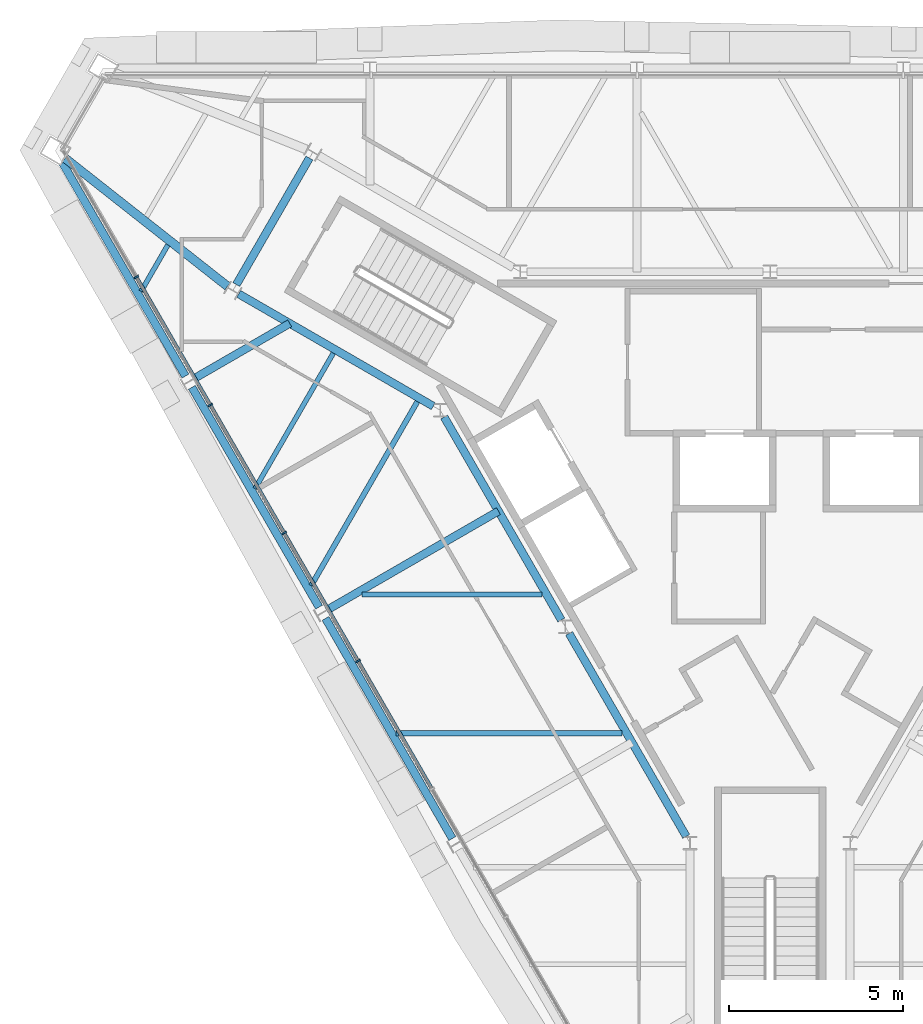
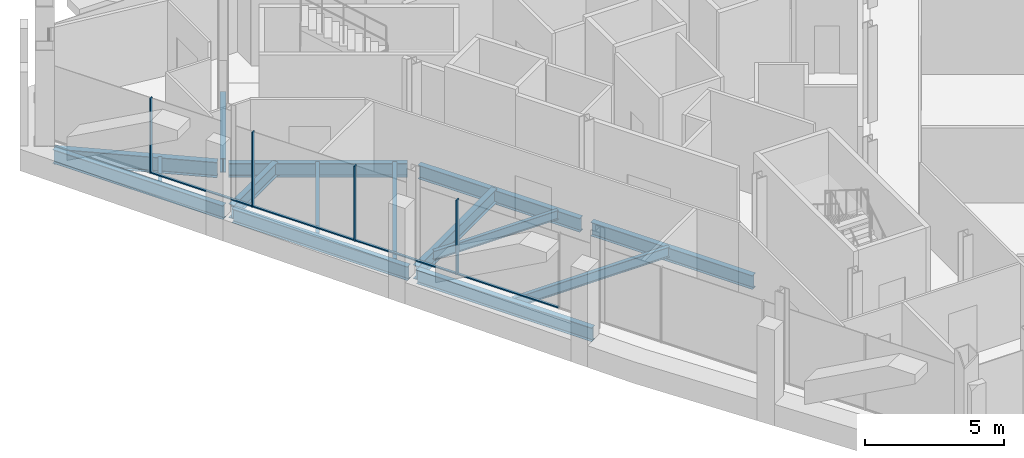
# One storey, part 4 of 13: 15 beams, 8 members, 1 element without a shape of its own.
"""IFC4 building model written with IfcOpenShell, lengths in metres."""

from ifc_helpers import new_model, si_unit, direction, frame, origin, origin_2d, place, context, subcontext, project, spatial, rectangle, i_section, extrude, material, material_profile, profile_set, type_object, element, aggregate, save


model = new_model("IFC4")

# Units and contexts
model_context = context("Model", 3, precision=1e-05, world=origin(), true_north=direction((0.0, 1.0)))
body_context = subcontext(model_context, "Body", "Model", "MODEL_VIEW")
ifc_project = project(units=[si_unit("LENGTHUNIT", "METRE"), si_unit("AREAUNIT", "SQUARE_METRE"), si_unit("VOLUMEUNIT", "CUBIC_METRE"), si_unit("PLANEANGLEUNIT", "RADIAN"), si_unit("MASSUNIT", "GRAM", prefix="KILO")], contexts=[model_context])

# Site, building, storey
site_placement = place(None, origin())
site = spatial("IfcSite", under=ifc_project, at=site_placement, CompositionType="ELEMENT")
building_placement = place(site_placement, origin())
building = spatial("IfcBuilding", under=site, at=building_placement, Name="Verrane Prism Tower", CompositionType="ELEMENT")
storey_placement = place(building_placement, frame((0.0, 0.0, 321.0)))
storey = spatial("IfcBuildingStorey", under=building, at=storey_placement, Name="L81", CompositionType="ELEMENT", Elevation=321.0)

# Beams
ifc_material_1 = material(Name="Steel A992", Category="steel")
ifc_material_profile_1 = material_profile(ifc_material_1, i_section(OverallWidth=0.228271484375, OverallDepth=0.607177734375, WebThickness=0.01123046875, FlangeThickness=0.017333984375, FilletRadius=0.0126953125, at=origin_2d()), Name="W24x76")
ifc_profile_set_1 = profile_set([ifc_material_profile_1], Name="Steel A992")
beam_type_1 = type_object("IfcBeamType", Name="Core ring girder W24x76", PredefinedType="BEAM", material=ifc_profile_set_1)
beam_1_placement = place(storey_placement, frame((-13.23974609375, 10.0673828125, -0.553466796875), z_axis=(-0.500323136493, -0.865838760445, 0.0), x_axis=(0.865838760445, -0.500323136493, 0.0)))
element("IfcBeam", 1, at=beam_1_placement, inside=storey, type_object=beam_type_1, Name="Core ring girder L81", PredefinedType="BEAM", context=body_context, shape_type="SweptSolid", body=[
    extrude(i_section(OverallWidth=0.228271484375, OverallDepth=0.607177734375, WebThickness=0.01123046875, FlangeThickness=0.017333984375, FilletRadius=0.0126953125, at=origin_2d()), origin(), (0.0, 0.0, 1.0), 4.197998046875),
])
beam_2_placement = place(storey_placement, frame((-15.272705078125, 6.16357421875, -0.553466796875), z_axis=(0.866076057046, -0.499912255713, 0.0), x_axis=(0.499912255713, 0.866076057046, 0.0)))
element("IfcBeam", 2, at=beam_2_placement, inside=storey, type_object=beam_type_1, Name="Core ring girder L81", PredefinedType="BEAM", context=body_context, shape_type="SweptSolid", body=[
    extrude(i_section(OverallWidth=0.228271484375, OverallDepth=0.607177734375, WebThickness=0.01123046875, FlangeThickness=0.017333984375, FilletRadius=0.0126953125, at=origin_2d()), origin(), (0.0, 0.0, 1.0), 6.458251953125),
])
for number, where, z_axis, x_axis, name in (
    (3, (-9.36865234375, 2.626953125, -0.553466796875), (0.499881421193, -0.866093854468, 0.0), (0.866093854468, 0.499881421193, 0.0), "Core ring girder L81"),
    (4, (-5.778564453125, -3.593017578125, -0.553466796875), (0.499881421193, -0.866093854468, 0.0), (0.866093854468, 0.499881421193, 0.0), "Core ring girder L81"),
):
    element("IfcBeam", number, at=place(storey_placement, frame(where, z_axis=z_axis, x_axis=x_axis)), inside=storey, type_object=beam_type_1, Name=name, PredefinedType="BEAM", context=body_context, shape_type="SweptSolid", body=[
        extrude(i_section(OverallWidth=0.228271484375, OverallDepth=0.607177734375, WebThickness=0.01123046875, FlangeThickness=0.017333984375, FilletRadius=0.0126953125, at=origin_2d()), origin(), (0.0, 0.0, 1.0), 6.736083984375),
    ])
ifc_material_2 = material(Name="Steel A992", Category="steel")
ifc_material_profile_2 = material_profile(ifc_material_2, i_section(OverallWidth=0.25390625, OverallDepth=0.683349609375, WebThickness=0.012451171875, FlangeThickness=0.01904296875, FilletRadius=0.01513671875, at=origin_2d()), Name="W27x94")
ifc_profile_set_2 = profile_set([ifc_material_profile_2], Name="Steel A992")
beam_type_2 = type_object("IfcBeamType", Name="Corner girder W27x94", PredefinedType="BEAM", material=ifc_profile_set_2)
beam_3_placement = place(storey_placement, frame((-20.26220703125, 10.06103515625, -0.5615234375), z_axis=(0.785339810319, -0.619064925777, 0.0), x_axis=(0.619064925777, 0.785339810319, 0.0)))
element("IfcBeam", 5, at=beam_3_placement, inside=storey, type_object=beam_type_2, Name="Corner girder L81", PredefinedType="BEAM", context=body_context, shape_type="SweptSolid", body=[
    extrude(i_section(OverallWidth=0.25390625, OverallDepth=0.683349609375, WebThickness=0.012451171875, FlangeThickness=0.01904296875, FilletRadius=0.01513671875, at=origin_2d()), origin(), (0.0, 0.0, 1.0), 5.945068359375),
])
ifc_material_3 = material(Name="Steel A992", Category="steel")
ifc_material_profile_3 = material_profile(ifc_material_3, i_section(OverallWidth=0.140380859375, OverallDepth=0.40380859375, WebThickness=0.007080078125, FlangeThickness=0.01123046875, FilletRadius=0.01025390625, at=origin_2d()), Name="W16x31")
ifc_profile_set_3 = profile_set([ifc_material_profile_3], Name="Steel A992")
beam_type_3 = type_object("IfcBeamType", Name="Floor beam W16x31", PredefinedType="BEAM", material=ifc_profile_set_3)
beam_4_placement = place(storey_placement, frame((-18.076904296875, 6.23779296875, -0.36181640625), z_axis=(0.499978844458, 0.866037617598, 0.0), x_axis=(-0.866037617598, 0.499978844458, 0.0)))
element("IfcBeam", 6, at=beam_4_placement, inside=storey, type_object=beam_type_3, Name="Floor beam L81", PredefinedType="BEAM", context=body_context, shape_type="SweptSolid", body=[
    extrude(i_section(OverallWidth=0.140380859375, OverallDepth=0.40380859375, WebThickness=0.007080078125, FlangeThickness=0.01123046875, FilletRadius=0.01025390625, at=origin_2d()), origin(), (0.0, 0.0, 1.0), 1.53857421875),
])
beam_5_placement = place(storey_placement, frame((-14.801513671875, 0.5673828125, -0.36181640625), z_axis=(0.500038829804, 0.866002984226, 0.0), x_axis=(-0.866002984226, 0.500038829804, 0.0)))
element("IfcBeam", 7, at=beam_5_placement, inside=storey, type_object=beam_type_3, Name="Floor beam L81", PredefinedType="BEAM", context=body_context, shape_type="SweptSolid", body=[
    extrude(i_section(OverallWidth=0.140380859375, OverallDepth=0.40380859375, WebThickness=0.007080078125, FlangeThickness=0.01123046875, FilletRadius=0.01025390625, at=origin_2d()), origin(), (0.0, 0.0, 1.0), 4.497802734375),
])
beam_6_placement = place(storey_placement, frame((-11.7236328125, -2.469970703125, -0.36181640625), z_axis=(1.0, 0.0, 0.0), x_axis=(0.0, 1.0, 0.0)))
element("IfcBeam", 8, at=beam_6_placement, inside=storey, type_object=beam_type_3, Name="Floor beam L81", PredefinedType="BEAM", context=body_context, shape_type="SweptSolid", body=[
    extrude(i_section(OverallWidth=0.140380859375, OverallDepth=0.40380859375, WebThickness=0.007080078125, FlangeThickness=0.01123046875, FilletRadius=0.01025390625, at=origin_2d()), origin(), (0.0, 0.0, 1.0), 5.1640625),
])
ifc_material_4 = material(Name="Steel A992", Category="steel")
ifc_material_profile_4 = material_profile(ifc_material_4, i_section(OverallWidth=0.15234375, OverallDepth=0.449462890625, WebThickness=0.007568359375, FlangeThickness=0.0107421875, FilletRadius=0.01025390625, at=origin_2d()), Name="W18x35")
ifc_profile_set_4 = profile_set([ifc_material_profile_4], Name="Steel A992")
beam_type_4 = type_object("IfcBeamType", Name="Floor beam W18x35", PredefinedType="BEAM", material=ifc_profile_set_4)
beam_7_placement = place(storey_placement, frame((-13.189697265625, -2.219482421875, -0.384765625), z_axis=(0.499979762145, 0.8660370878, 0.0), x_axis=(-0.8660370878, 0.499979762145, 0.0)))
element("IfcBeam", 9, at=beam_7_placement, inside=storey, type_object=beam_type_4, Name="Floor beam L81", PredefinedType="BEAM", context=body_context, shape_type="SweptSolid", body=[
    extrude(i_section(OverallWidth=0.15234375, OverallDepth=0.449462890625, WebThickness=0.007568359375, FlangeThickness=0.0107421875, FilletRadius=0.01025390625, at=origin_2d()), origin(), (0.0, 0.0, 1.0), 6.105224609375),
])
beam_8_placement = place(storey_placement, frame((-10.74560546875, -6.4599609375, -0.384765625), z_axis=(1.0, 0.0, 0.0), x_axis=(0.0, 1.0, 0.0)))
element("IfcBeam", 10, at=beam_8_placement, inside=storey, type_object=beam_type_4, Name="Floor beam L81", PredefinedType="BEAM", context=body_context, shape_type="SweptSolid", body=[
    extrude(i_section(OverallWidth=0.15234375, OverallDepth=0.449462890625, WebThickness=0.007568359375, FlangeThickness=0.0107421875, FilletRadius=0.01025390625, at=origin_2d()), origin(), (0.0, 0.0, 1.0), 6.49365234375),
])

# Curtain wall, members
ifc_material_5 = material(Name="Aluminium framed insulated glazing", Category="aluminium")
curtain_wall_type = type_object("IfcCurtainWallType", Name="Curtain wall CW-C 4200 module", PredefinedType="NOTDEFINED", material=ifc_material_5)
curtain_wall_placement = place(storey_placement, origin())
curtain_wall = element("IfcCurtainWall", 11, at=curtain_wall_placement, inside=storey, type_object=curtain_wall_type, Name="Glazed curtain wall south-west face L81", PredefinedType="NOTDEFINED")
ifc_material_6 = material(Name="Aluminium alloy 6063-T6", Category="aluminium")
ifc_material_profile_5 = material_profile(ifc_material_6, rectangle(XDim=0.139892578125, YDim=0.050048828125, at=origin_2d()), Name="Mullion 50x140 aluminium")
ifc_profile_set_5 = profile_set([ifc_material_profile_5], Name="Aluminium alloy 6063-T6")
member_type_1 = type_object("IfcMemberType", Name="Mullion 50x140 aluminium", PredefinedType="MULLION", material=ifc_profile_set_5)
member_1_placement = place(storey_placement, frame((-18.212890625, 6.651123046875, 0.0), z_axis=(0.0, 0.0, 1.0), x_axis=(0.866025278644, 0.500000216749, 0.0)))
member_1 = element("IfcMember", 12, at=member_1_placement, type_object=member_type_1, Name="CW81.4 mullion 2", PredefinedType="MULLION", context=body_context, shape_type="SweptSolid", body=[
    extrude(rectangle(XDim=0.139892578125, YDim=0.050048828125, at=origin_2d()), origin(), (0.0, 0.0, 1.0), 3.296630859375),
])
member_2_placement = place(storey_placement, frame((-16.089111328125, 2.97265625, 0.0), z_axis=(0.0, 0.0, 1.0), x_axis=(0.866025278644, 0.500000216749, 0.0)))
member_2 = element("IfcMember", 13, at=member_2_placement, type_object=member_type_1, Name="CW81.4 mullion 3", PredefinedType="MULLION", context=body_context, shape_type="SweptSolid", body=[
    extrude(rectangle(XDim=0.139892578125, YDim=0.050048828125, at=origin_2d()), origin(), (0.0, 0.0, 1.0), 3.296630859375),
])
member_3_placement = place(storey_placement, frame((-13.96533203125, -0.705810546875, 0.0), z_axis=(0.0, 0.0, 1.0), x_axis=(0.866025278644, 0.500000216749, 0.0)))
member_3 = element("IfcMember", 14, at=member_3_placement, type_object=member_type_1, Name="CW81.4 mullion 4", PredefinedType="MULLION", context=body_context, shape_type="SweptSolid", body=[
    extrude(rectangle(XDim=0.139892578125, YDim=0.050048828125, at=origin_2d()), origin(), (0.0, 0.0, 1.0), 3.296630859375),
])
member_4_placement = place(storey_placement, frame((-11.841552734375, -4.38427734375, 0.0), z_axis=(0.0, 0.0, 1.0), x_axis=(0.866025278644, 0.500000216749, 0.0)))
member_4 = element("IfcMember", 15, at=member_4_placement, type_object=member_type_1, Name="CW81.4 mullion 5", PredefinedType="MULLION", context=body_context, shape_type="SweptSolid", body=[
    extrude(rectangle(XDim=0.139892578125, YDim=0.050048828125, at=origin_2d()), origin(), (0.0, 0.0, 1.0), 3.296630859375),
])

# Beams
ifc_material_7 = material(Name="Steel A992", Category="steel")
ifc_material_profile_6 = material_profile(ifc_material_7, i_section(OverallWidth=0.228271484375, OverallDepth=0.607177734375, WebThickness=0.01123046875, FlangeThickness=0.017333984375, FilletRadius=0.0126953125, at=origin_2d()), Name="W24x76")
ifc_profile_set_6 = profile_set([ifc_material_profile_6], Name="Steel A992")
beam_type_5 = type_object("IfcBeamType", Name="Radial girder W24x76", PredefinedType="BEAM", material=ifc_profile_set_6)
beam_9_placement = place(storey_placement, frame((-16.550537109375, 3.732177734375, -0.5234375), z_axis=(0.866011117715, 0.500024743381, 0.0), x_axis=(-0.500024743381, 0.866011117715, 0.0)))
element("IfcBeam", 16, at=beam_9_placement, inside=storey, type_object=beam_type_5, Name="Radial girder L81", PredefinedType="BEAM", context=body_context, shape_type="SweptSolid", body=[
    extrude(i_section(OverallWidth=0.228271484375, OverallDepth=0.607177734375, WebThickness=0.01123046875, FlangeThickness=0.017333984375, FilletRadius=0.0126953125, at=origin_2d()), origin(), (0.0, 0.0, 1.0), 3.169189453125),
])
beam_10_placement = place(storey_placement, frame((-12.71044921875, -2.907958984375, -0.5234375), z_axis=(0.866021122779, 0.500007414845, 0.0), x_axis=(-0.500007414845, 0.866021122779, 0.0)))
element("IfcBeam", 17, at=beam_10_placement, inside=storey, type_object=beam_type_5, Name="Radial girder L81", PredefinedType="BEAM", context=body_context, shape_type="SweptSolid", body=[
    extrude(i_section(OverallWidth=0.228271484375, OverallDepth=0.607177734375, WebThickness=0.01123046875, FlangeThickness=0.017333984375, FilletRadius=0.0126953125, at=origin_2d()), origin(), (0.0, 0.0, 1.0), 5.6611328125),
])
ifc_material_8 = material(Name="Steel A992", Category="steel")
ifc_material_profile_7 = material_profile(ifc_material_8, i_section(OverallWidth=0.228271484375, OverallDepth=0.607177734375, WebThickness=0.01123046875, FlangeThickness=0.017333984375, FilletRadius=0.0126953125, at=origin_2d()), Name="W24x76")
ifc_profile_set_7 = profile_set([ifc_material_profile_7], Name="Steel A992")
beam_type_6 = type_object("IfcBeamType", Name="Spandrel beam W24x76", PredefinedType="SPANDREL", material=ifc_profile_set_7)
beam_11_placement = place(storey_placement, frame((-20.337890625, 9.9296875, -0.46337890625), z_axis=(0.499650748497, -0.866226950358, 0.0), x_axis=(0.866226950358, 0.499650748497, 0.0)))
element("IfcBeam", 18, at=beam_11_placement, inside=storey, type_object=beam_type_6, Name="Spandrel beam L81", PredefinedType="SPANDREL", context=body_context, shape_type="SweptSolid", body=[
    extrude(i_section(OverallWidth=0.228271484375, OverallDepth=0.607177734375, WebThickness=0.01123046875, FlangeThickness=0.017333984375, FilletRadius=0.0126953125, at=origin_2d()), origin(), (0.0, 0.0, 1.0), 7.07421875),
])
beam_12_placement = place(storey_placement, frame((-16.616455078125, 3.478515625, -0.46337890625), z_axis=(0.50061813753, -0.865668227658, 0.0), x_axis=(0.865668227658, 0.50061813753, 0.0)))
element("IfcBeam", 19, at=beam_12_placement, inside=storey, type_object=beam_type_6, Name="Spandrel beam L81", PredefinedType="SPANDREL", context=body_context, shape_type="SweptSolid", body=[
    extrude(i_section(OverallWidth=0.228271484375, OverallDepth=0.607177734375, WebThickness=0.01123046875, FlangeThickness=0.017333984375, FilletRadius=0.0126953125, at=origin_2d()), origin(), (0.0, 0.0, 1.0), 7.297119140625),
])
beam_13_placement = place(storey_placement, frame((-12.77685546875, -3.161865234375, -0.46337890625), z_axis=(0.499074796412, -0.866558911781, 0.0), x_axis=(0.866558911781, 0.499074796412, 0.0)))
element("IfcBeam", 20, at=beam_13_placement, inside=storey, type_object=beam_type_6, Name="Spandrel beam L81", PredefinedType="SPANDREL", context=body_context, shape_type="SweptSolid", body=[
    extrude(i_section(OverallWidth=0.228271484375, OverallDepth=0.607177734375, WebThickness=0.01123046875, FlangeThickness=0.017333984375, FilletRadius=0.0126953125, at=origin_2d()), origin(), (0.0, 0.0, 1.0), 7.300537109375),
])

# Member
ifc_material_9 = material(Name="Aluminium alloy 6063-T6", Category="aluminium")
ifc_material_profile_8 = material_profile(ifc_material_9, rectangle(XDim=0.10009765625, YDim=0.050048828125, at=origin_2d()), Name="Transom 50x100 aluminium")
ifc_profile_set_8 = profile_set([ifc_material_profile_8], Name="Aluminium alloy 6063-T6")
member_type_2 = type_object("IfcMemberType", Name="Transom 50x100 aluminium", PredefinedType="USERDEFINED", material=ifc_profile_set_8)
member_5_placement = place(storey_placement, frame((-18.200439453125, 6.62939453125, 0.02490234375), z_axis=(0.500036287034, -0.866004452442, 0.0), x_axis=(0.866004452442, 0.500036287034, 0.0)))
member_5 = element("IfcMember", 21, at=member_5_placement, type_object=member_type_2, Name="CW81.4 transom 2", ObjectType="TRANSOM", PredefinedType="USERDEFINED", context=body_context, shape_type="SweptSolid", body=[
    extrude(rectangle(XDim=0.10009765625, YDim=0.050048828125, at=origin_2d()), origin(), (0.0, 0.0, 1.0), 4.197509765625),
])

member_6_placement = place(storey_placement, frame((-16.07666015625, 2.950927734375, 0.02490234375), z_axis=(0.500011101102, -0.866018994465, 0.0), x_axis=(0.866018994465, 0.500011101102, 0.0)))
member_6 = element("IfcMember", 22, at=member_6_placement, type_object=member_type_2, Name="CW81.4 transom 3", ObjectType="TRANSOM", PredefinedType="USERDEFINED", context=body_context, shape_type="SweptSolid", body=[
    extrude(rectangle(XDim=0.10009765625, YDim=0.050048828125, at=origin_2d()), origin(), (0.0, 0.0, 1.0), 4.19775390625),
])

member_7_placement = place(storey_placement, frame((-13.952880859375, -0.7275390625, 0.02490234375), z_axis=(0.500011101102, -0.866018994465, 0.0), x_axis=(0.866018994465, 0.500011101102, 0.0)))
member_7 = element("IfcMember", 23, at=member_7_placement, type_object=member_type_2, Name="CW81.4 transom 4", ObjectType="TRANSOM", PredefinedType="USERDEFINED", context=body_context, shape_type="SweptSolid", body=[
    extrude(rectangle(XDim=0.10009765625, YDim=0.050048828125, at=origin_2d()), origin(), (0.0, 0.0, 1.0), 4.19775390625),
])

member_8_placement = place(storey_placement, frame((-11.8291015625, -4.406005859375, 0.02490234375), z_axis=(0.500011101102, -0.866018994465, 0.0), x_axis=(0.866018994465, 0.500011101102, 0.0)))
member_8 = element("IfcMember", 24, at=member_8_placement, type_object=member_type_2, Name="CW81.4 transom 5", ObjectType="TRANSOM", PredefinedType="USERDEFINED", context=body_context, shape_type="SweptSolid", body=[
    extrude(rectangle(XDim=0.10009765625, YDim=0.050048828125, at=origin_2d()), origin(), (0.0, 0.0, 1.0), 4.19775390625),
])

aggregate(curtain_wall, [member_1, member_2, member_3, member_4, member_5, member_6, member_7, member_8])

save(model, "model.ifc")
